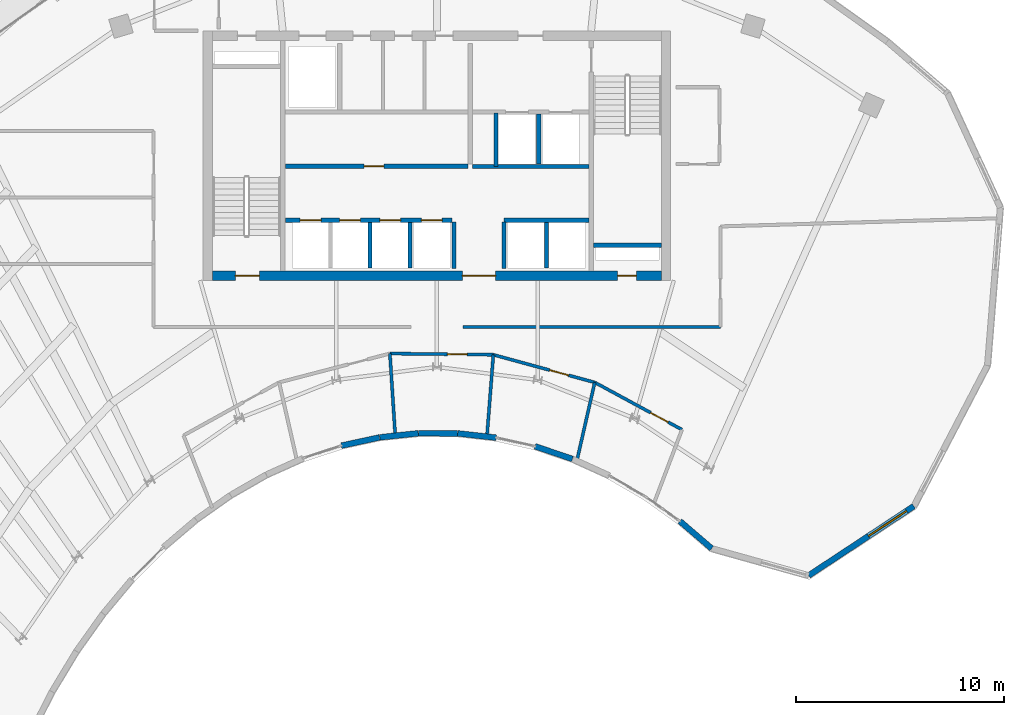
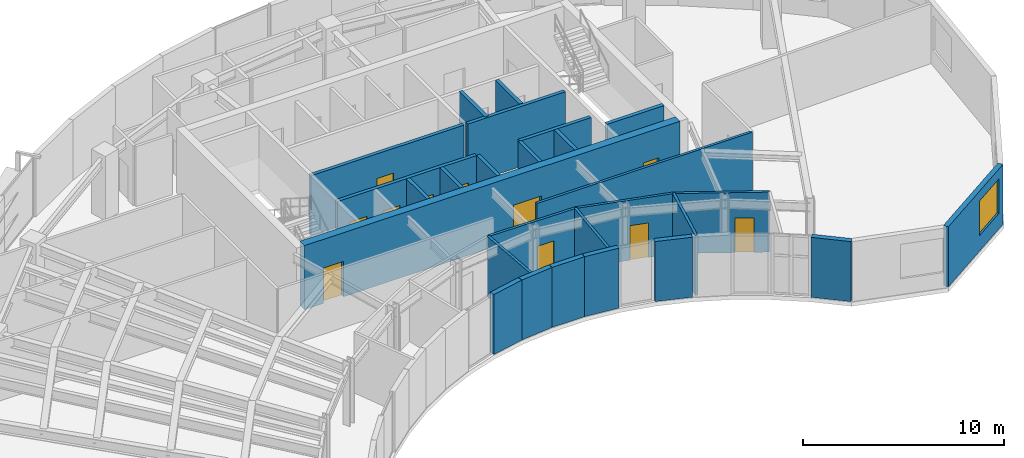
# One storey, part 8 of 12: 27 walls, 11 doors, 1 window, 12 openings.
"""IFC4 building model written with IfcOpenShell, lengths in metres."""

from ifc_helpers import new_model, si_unit, direction, frame, frame_2d, origin, place, context, subcontext, project, spatial, rectangle, extrude, source, transform, mapped, material, layer, layer_set, type_object, type_shapes, element, fill, save


model = new_model("IFC4")

# Units and contexts
model_context = context("Model", 3, precision=1e-05, world=origin(), true_north=direction((0.0, 1.0)))
body_context = subcontext(model_context, "Body", "Model", "MODEL_VIEW")
ifc_project = project(units=[si_unit("LENGTHUNIT", "METRE"), si_unit("AREAUNIT", "SQUARE_METRE"), si_unit("VOLUMEUNIT", "CUBIC_METRE"), si_unit("PLANEANGLEUNIT", "RADIAN"), si_unit("MASSUNIT", "GRAM", prefix="KILO")], contexts=[model_context])

# Site, building, storey
site_placement = place(None, origin())
site = spatial("IfcSite", under=ifc_project, at=site_placement, CompositionType="ELEMENT")
building_placement = place(site_placement, origin())
building = spatial("IfcBuilding", under=site, at=building_placement, Name="Breltana Convention Tower", CompositionType="ELEMENT")
storey_placement = place(building_placement, frame((0.0, 0.0, 239.10009765625)))
storey = spatial("IfcBuildingStorey", under=building, at=storey_placement, Name="L58", CompositionType="ELEMENT", Elevation=239.10009765625)

# Wall
ifc_material_1 = material(Name="Concrete C50/60", Category="concrete")
ifc_layer_1 = layer(ifc_material_1, 0.39990234375, Name="Concrete C50/60")
ifc_layer_set_1 = layer_set([ifc_layer_1], Name="Concrete C50/60")
wall_type_1 = type_object("IfcWallType", Name="SW-CORE-400", PredefinedType="SHEAR", material=ifc_layer_set_1)
shared_shape_1 = source(origin(), body_context, "Body", "SweptSolid", [
    extrude(rectangle(XDim=3.27001953125, YDim=0.219970703125, at=frame_2d((1.635009765625, 0.0))), origin(), (0.0, 0.0, 1.0), 3.89990234375),
])
wall_1_placement = place(storey_placement, frame((55.530029296875, 61.889892578125, 0.0), z_axis=(0.0, 0.0, 1.0), x_axis=(1.0, 0.0, 0.0)))
element("IfcWall", 1, at=wall_1_placement, inside=storey, type_object=wall_type_1, Name="L58 ST-2 Stairwell South Bearing Wall", PredefinedType="SHEAR", context=body_context, shape_type="MappedRepresentation", body=[
    mapped(shared_shape_1, transform((0.0, 0.0, 0.0), scale=1.0)),
])

# Wall, openings, doors
ifc_material_2 = material(Name="Concrete C60/75", Category="concrete")
ifc_layer_2 = layer(ifc_material_2, 0.449951171875, Name="Concrete C60/75")
ifc_layer_set_2 = layer_set([ifc_layer_2], Name="Concrete C60/75")
wall_type_2 = type_object("IfcWallType", Name="SW-CORE-450", PredefinedType="SHEAR", material=ifc_layer_set_2)
shared_shape_2 = source(origin(), body_context, "Body", "SweptSolid", [
    extrude(rectangle(XDim=21.60009765625, YDim=0.449951171875, at=frame_2d((10.800048828125, 0.0))), origin(), (0.0, 0.0, 1.0), 3.89990234375),
])
wall_2_placement = place(storey_placement, frame((37.199951171875, 60.425048828125, 0.0), z_axis=(0.0, 0.0, 1.0), x_axis=(1.0, 0.0, 0.0)))
wall_2 = element("IfcWall", 2, at=wall_2_placement, inside=storey, type_object=wall_type_2, Name="L58 South Core Shear Wall", PredefinedType="SHEAR", context=body_context, shape_type="MappedRepresentation", body=[
    mapped(shared_shape_2, transform((0.0, 0.0, 0.0), scale=1.0)),
])
opening_1_placement = place(wall_2_placement, frame((1.10009765625, 0.0, 0.0)))
opening_1 = element("IfcOpeningElement", 3, at=opening_1_placement, cuts=wall_2, Name="Opening D-11", PredefinedType="OPENING", context=body_context, shape_type="SweptSolid", body=[
    extrude(rectangle(XDim=1.14990234375, YDim=2.14990234375, at=frame_2d((0.574951171875, 1.074951171875))), frame((0.0, 0.23486328125, 0.0), z_axis=(0.0, -1.0, 0.0), x_axis=(1.0, 0.0, 0.0)), (0.0, 0.0, 1.0), 0.469970703125),
])
opening_2_placement = place(wall_2_placement, frame((19.5, 0.0, 0.0)))
opening_2 = element("IfcOpeningElement", 4, at=opening_2_placement, cuts=wall_2, Name="Opening D-18", PredefinedType="OPENING", context=body_context, shape_type="SweptSolid", body=[
    extrude(rectangle(XDim=0.89990234375, YDim=2.10009765625, at=frame_2d((0.449951171875, 1.050048828125))), frame((0.0, 0.23486328125, 0.0), z_axis=(0.0, -1.0, 0.0), x_axis=(1.0, 0.0, 0.0)), (0.0, 0.0, 1.0), 0.469970703125),
])
opening_3_placement = place(wall_2_placement, frame((12.02001953125, 0.0, 0.0)))
opening_3 = element("IfcOpeningElement", 5, at=opening_3_placement, cuts=wall_2, Name="Opening D-02", PredefinedType="OPENING", context=body_context, shape_type="SweptSolid", body=[
    extrude(rectangle(XDim=1.60009765625, YDim=2.14990234375, at=frame_2d((0.800048828125, 1.074951171875))), frame((0.0, 0.23486328125, 0.0), z_axis=(0.0, -1.0, 0.0), x_axis=(1.0, 0.0, 0.0)), (0.0, 0.0, 1.0), 0.469970703125),
])
ifc_material_3 = material(Name="Steel Stair Exit Door", Category="steel")
door_type_1 = type_object("IfcDoorType", Name="DR-FD120-1150", OperationType="NOTDEFINED", PredefinedType="DOOR", material=ifc_material_3)
shared_shape_3 = source(origin(), body_context, "Body", "SweptSolid", [
    extrude(rectangle(XDim=1.14990234375, YDim=2.14990234375, at=frame_2d((0.574951171875, 1.074951171875))), frame((0.0, 0.02490234375, 0.0), z_axis=(0.0, -1.0, 0.0), x_axis=(1.0, 0.0, 0.0)), (0.0, 0.0, 1.0), 0.050048828125),
])
type_shapes(door_type_1, [shared_shape_3])
door_1_placement = place(opening_1_placement, origin())
door_1 = element("IfcDoor", 6, at=door_1_placement, inside=storey, type_object=door_type_1, Name="L58 interior door D-L58-ST1", OperationType="SINGLE_SWING_LEFT", OverallHeight=2.14990234375, OverallWidth=1.14990234375, PredefinedType="DOOR", context=body_context, shape_type="MappedRepresentation", body=[
    mapped(shared_shape_3, transform((0.0, 0.0, 0.0), scale=1.0)),
])
fill(opening_1, door_1)
ifc_material_4 = material(Name="Steel Riser Fire Door", Category="steel")
door_type_2 = type_object("IfcDoorType", Name="DR-FD60-900", OperationType="NOTDEFINED", PredefinedType="DOOR", material=ifc_material_4)
shared_shape_4 = source(origin(), body_context, "Body", "SweptSolid", [
    extrude(rectangle(XDim=0.89990234375, YDim=2.10009765625, at=frame_2d((0.449951171875, 1.050048828125))), frame((0.0, 0.02490234375, 0.0), z_axis=(0.0, -1.0, 0.0), x_axis=(1.0, 0.0, 0.0)), (0.0, 0.0, 1.0), 0.050048828125),
])
type_shapes(door_type_2, [shared_shape_4])
door_2_placement = place(opening_2_placement, origin())
door_2 = element("IfcDoor", 7, at=door_2_placement, inside=storey, type_object=door_type_2, Name="L58 Core Riser Access Door D-L58-RS2", OperationType="SINGLE_SWING_RIGHT", OverallHeight=2.10009765625, OverallWidth=0.89990234375, PredefinedType="DOOR", context=body_context, shape_type="MappedRepresentation", body=[
    mapped(shared_shape_4, transform((0.0, 0.0, 0.0), scale=1.0)),
])
fill(opening_2, door_2)
ifc_material_5 = material(Name="Steel Glazed Smoke-Control Door", Category="steel")
door_type_3 = type_object("IfcDoorType", Name="DR-DBL-FD90-1600", OperationType="DOUBLE_DOOR_SINGLE_SWING", PredefinedType="DOOR", material=ifc_material_5)
shared_shape_5 = source(origin(), body_context, "Body", "SweptSolid", [
    extrude(rectangle(XDim=1.60009765625, YDim=2.14990234375, at=frame_2d((0.800048828125, 1.074951171875))), frame((0.0, 0.02490234375, 0.0), z_axis=(0.0, -1.0, 0.0), x_axis=(1.0, 0.0, 0.0)), (0.0, 0.0, 1.0), 0.050048828125),
])
type_shapes(door_type_3, [shared_shape_5])
door_3_placement = place(opening_3_placement, origin())
door_3 = element("IfcDoor", 8, at=door_3_placement, inside=storey, type_object=door_type_3, Name="L58 interior door D-L58-LLB-S", OperationType="DOUBLE_DOOR_SINGLE_SWING", OverallHeight=2.14990234375, OverallWidth=1.60009765625, PredefinedType="DOOR", context=body_context, shape_type="MappedRepresentation", body=[
    mapped(shared_shape_5, transform((0.0, 0.0, 0.0), scale=1.0)),
])
fill(opening_3, door_3)

# Wall, opening, window
ifc_material_6 = material(Name="Limestone Buff Insulated Wall", Category="masonry")
ifc_layer_3 = layer(ifc_material_6, 0.280029296875, Name="Limestone Buff Insulated Wall")
ifc_layer_set_3 = layer_set([ifc_layer_3], Name="Limestone Buff Insulated Wall")
wall_type_3 = type_object("IfcWallType", Name="WL-EXT-NOSE-280", PredefinedType="SOLIDWALL", material=ifc_layer_set_3)
shared_shape_6 = source(origin(), body_context, "Body", "SweptSolid", [
    extrude(rectangle(XDim=6.065185546875, YDim=0.280029296875, at=frame_2d((3.03271484375, 0.0))), origin(), (0.0, 0.0, 1.0), 3.64990234375),
])
wall_3_placement = place(storey_placement, frame((70.9541015625, 49.3349609375, 0.0), z_axis=(0.0, 0.0, 1.0), x_axis=(-0.834857303202, -0.550466423399, 0.0)))
wall_3 = element("IfcWall", 9, at=wall_3_placement, inside=storey, type_object=wall_type_3, Name="L58 curved limestone nose wall E4", PredefinedType="SOLIDWALL", context=body_context, shape_type="MappedRepresentation", body=[
    mapped(shared_shape_6, transform((0.0, 0.0, 0.0), scale=1.0)),
])
opening_4_placement = place(wall_3_placement, frame((0.416259765625, 0.0, 0.949951171875)))
opening_4 = element("IfcOpeningElement", 10, at=opening_4_placement, cuts=wall_3, Name="Opening W-03", PredefinedType="OPENING", context=body_context, shape_type="SweptSolid", body=[
    extrude(rectangle(XDim=2.199951171875, YDim=2.10009765625, at=frame_2d((1.10009765625, 1.050048828125))), frame((0.0, 0.14990234375, 0.0), z_axis=(0.0, -1.0, 0.0), x_axis=(1.0, 0.0, 0.0)), (0.0, 0.0, 1.0), 0.300048828125),
])
ifc_material_7 = material(Name="Glass Low-E Insulated Window", Category="glass")
window_type = type_object("IfcWindowType", Name="WN-NOSE-2200X2100", PartitioningType="TRIPLE_PANEL_VERTICAL", PredefinedType="WINDOW", material=ifc_material_7)
shared_shape_7 = source(origin(), body_context, "Body", "SweptSolid", [
    extrude(rectangle(XDim=2.199951171875, YDim=2.10009765625, at=frame_2d((1.10009765625, 1.050048828125))), frame((0.0, 0.030029296875, 0.0), z_axis=(0.0, -1.0, 0.0), x_axis=(1.0, 0.0, 0.0)), (0.0, 0.0, 1.0), 0.06005859375),
])
type_shapes(window_type, [shared_shape_7])
window_placement = place(opening_4_placement, origin())
window = element("IfcWindow", 11, at=window_placement, inside=storey, type_object=window_type, Name="L58 nose window E4", OverallHeight=2.10009765625, OverallWidth=2.199951171875, PartitioningType="TRIPLE_PANEL_VERTICAL", PredefinedType="WINDOW", context=body_context, shape_type="MappedRepresentation", body=[
    mapped(shared_shape_7, transform((0.0, 0.0, 0.0), scale=1.0)),
])
fill(opening_4, window)

# Walls
shared_shape_8 = source(origin(), body_context, "Body", "SweptSolid", [
    extrude(rectangle(XDim=2.022216796875, YDim=0.280029296875, at=frame_2d((1.01123046875, 0.0))), origin(), (0.0, 0.0, 1.0), 3.64990234375),
])
wall_4_placement = place(storey_placement, frame((61.2216796875, 47.299072265625, 0.0), z_axis=(0.0, 0.0, 1.0), x_axis=(-0.758343943716, 0.651854633358, 0.0)))
element("IfcWall", 12, at=wall_4_placement, inside=storey, type_object=wall_type_3, Name="L58 curved limestone nose wall E6", PredefinedType="SOLIDWALL", context=body_context, shape_type="MappedRepresentation", body=[
    mapped(shared_shape_8, transform((0.0, 0.0, 0.0), scale=1.0)),
])
shared_shape_9 = source(origin(), body_context, "Body", "SweptSolid", [
    extrude(rectangle(XDim=1.901123046875, YDim=0.280029296875, at=frame_2d((0.95068359375, 0.0))), origin(), (0.0, 0.0, 1.0), 3.64990234375),
])
wall_5_placement = place(storey_placement, frame((54.52294921875, 51.608154296875, 0.0), z_axis=(0.0, 0.0, 1.0), x_axis=(-0.94793587841, 0.318461254194, 0.0)))
element("IfcWall", 13, at=wall_5_placement, inside=storey, type_object=wall_type_3, Name="L58 curved limestone nose wall E8", PredefinedType="SOLIDWALL", context=body_context, shape_type="MappedRepresentation", body=[
    mapped(shared_shape_9, transform((0.0, 0.0, 0.0), scale=1.0)),
])
shared_shape_10 = source(origin(), body_context, "Body", "SweptSolid", [
    extrude(rectangle(XDim=1.858154296875, YDim=0.280029296875, at=frame_2d((0.92919921875, 0.0))), origin(), (0.0, 0.0, 1.0), 3.64990234375),
])
wall_6_placement = place(storey_placement, frame((48.9794921875, 52.837890625, 0.0), z_axis=(0.0, 0.0, 1.0), x_axis=(-0.999995433965, 0.003021928128, 0.0)))
element("IfcWall", 14, at=wall_6_placement, inside=storey, type_object=wall_type_3, Name="L58 curved limestone nose wall E10", PredefinedType="SOLIDWALL", context=body_context, shape_type="MappedRepresentation", body=[
    mapped(shared_shape_10, transform((0.0, 0.0, 0.0), scale=1.0)),
])
shared_shape_11 = source(origin(), body_context, "Body", "SweptSolid", [
    extrude(rectangle(XDim=1.8623046875, YDim=0.280029296875, at=frame_2d((0.93115234375, 0.0))), origin(), (0.0, 0.0, 1.0), 3.64990234375),
])
wall_7_placement = place(storey_placement, frame((47.101806640625, 52.84228515625, 0.0), z_axis=(0.0, 0.0, 1.0), x_axis=(-0.994430497743, -0.1053944266, 0.0)))
element("IfcWall", 15, at=wall_7_placement, inside=storey, type_object=wall_type_3, Name="L58 curved limestone nose wall E11", PredefinedType="SOLIDWALL", context=body_context, shape_type="MappedRepresentation", body=[
    mapped(shared_shape_11, transform((0.0, 0.0, 0.0), scale=1.0)),
])
shared_shape_12 = source(origin(), body_context, "Body", "SweptSolid", [
    extrude(rectangle(XDim=1.876708984375, YDim=0.280029296875, at=frame_2d((0.9384765625, 0.0))), origin(), (0.0, 0.0, 1.0), 3.64990234375),
])
wall_8_placement = place(storey_placement, frame((45.230712890625, 52.642822265625, 0.0), z_axis=(0.0, 0.0, 1.0), x_axis=(-0.97737202312, -0.211527606761, 0.0)))
element("IfcWall", 16, at=wall_8_placement, inside=storey, type_object=wall_type_3, Name="L58 curved limestone nose wall E12", PredefinedType="SOLIDWALL", context=body_context, shape_type="MappedRepresentation", body=[
    mapped(shared_shape_12, transform((0.0, 0.0, 0.0), scale=1.0)),
])
shared_shape_13 = source(origin(), body_context, "Body", "SweptSolid", [
    extrude(rectangle(XDim=1.86328125, YDim=0.280029296875, at=frame_2d((0.931640625, 0.0))), origin(), (0.0, 0.0, 1.0), 3.64990234375),
])
wall_9_placement = place(storey_placement, frame((50.8505859375, 52.629638671875, 0.0), z_axis=(0.0, 0.0, 1.0), x_axis=(-0.9937939307, 0.111236789343, 0.0)))
element("IfcWall", 17, at=wall_9_placement, inside=storey, type_object=wall_type_3, Name="L58 curved limestone nose wall E9", PredefinedType="SOLIDWALL", context=body_context, shape_type="MappedRepresentation", body=[
    mapped(shared_shape_13, transform((0.0, 0.0, 0.0), scale=1.0)),
])
ifc_material_8 = material(Name="Autoclaved Aerated Concrete Block", Category="concrete")
ifc_layer_4 = layer(ifc_material_8, 0.199951171875, Name="Autoclaved Aerated Concrete Block")
ifc_layer_set_4 = layer_set([ifc_layer_4], Name="Autoclaved Aerated Concrete Block")
wall_type_4 = type_object("IfcWallType", Name="WL-SHAFT-200", PredefinedType="SOLIDWALL", material=ifc_layer_set_4)
shared_shape_14 = source(origin(), body_context, "Body", "SweptSolid", [
    extrude(rectangle(XDim=2.239990234375, YDim=0.199951171875, at=frame_2d((1.1201171875, 0.0))), origin(), (0.0, 0.0, 1.0), 3.64990234375),
])
for number, where, z_axis, x_axis, name in (
    (18, (48.820068359375, 60.780029296875, 0.0), (0.0, 0.0, 1.0), (0.0, 1.0, 0.0), "L58 interior partition W-L58-PORT-W"),
    (19, (51.219970703125, 60.780029296875, 0.0), (0.0, 0.0, 1.0), (0.0, 1.0, 0.0), "L58 interior partition W-L58-PORT-E"),
):
    element("IfcWall", number, at=place(storey_placement, frame(where, z_axis=z_axis, x_axis=x_axis)), inside=storey, type_object=wall_type_4, Name=name, PredefinedType="SOLIDWALL", context=body_context, shape_type="MappedRepresentation", body=[
        mapped(shared_shape_14, transform((0.0, 0.0, 0.0), scale=1.0)),
    ])
shared_shape_15 = source(origin(), body_context, "Body", "SweptSolid", [
    extrude(rectangle(XDim=5.6201171875, YDim=0.199951171875, at=frame_2d((2.81005859375, 0.0))), origin(), (0.0, 0.0, 1.0), 3.64990234375),
])
wall_10_placement = place(storey_placement, frame((49.699951171875, 65.679931640625, 0.0), z_axis=(0.0, 0.0, 1.0), x_axis=(1.0, 0.0, 0.0)))
element("IfcWall", 20, at=wall_10_placement, inside=storey, type_object=wall_type_4, Name="L58 interior partition W-L58-FL-S", PredefinedType="SOLIDWALL", context=body_context, shape_type="MappedRepresentation", body=[
    mapped(shared_shape_15, transform((0.0, 0.0, 0.0), scale=1.0)),
])
shared_shape_16 = source(origin(), body_context, "Body", "SweptSolid", [
    extrude(rectangle(XDim=2.580078125, YDim=0.199951171875, at=frame_2d((1.2900390625, 0.0))), origin(), (0.0, 0.0, 1.0), 3.64990234375),
])
wall_11_placement = place(storey_placement, frame((50.85009765625, 65.679931640625, 0.0), z_axis=(0.0, 0.0, 1.0), x_axis=(0.0, 1.0, 0.0)))
element("IfcWall", 21, at=wall_11_placement, inside=storey, type_object=wall_type_4, Name="L58 interior partition W-L58-FL-W", PredefinedType="SOLIDWALL", context=body_context, shape_type="MappedRepresentation", body=[
    mapped(shared_shape_16, transform((0.0, 0.0, 0.0), scale=1.0)),
])
shared_shape_17 = source(origin(), body_context, "Body", "SweptSolid", [
    extrude(rectangle(XDim=2.39990234375, YDim=0.199951171875, at=frame_2d((1.199951171875, 0.0))), origin(), (0.0, 0.0, 1.0), 3.64990234375),
])
wall_12_placement = place(storey_placement, frame((52.89990234375, 65.800048828125, 0.0), z_axis=(0.0, 0.0, 1.0), x_axis=(0.0, 1.0, 0.0)))
element("IfcWall", 22, at=wall_12_placement, inside=storey, type_object=wall_type_4, Name="L58 interior partition W-L58-FL-DIV", PredefinedType="SOLIDWALL", context=body_context, shape_type="MappedRepresentation", body=[
    mapped(shared_shape_17, transform((0.0, 0.0, 0.0), scale=1.0)),
])

# Wall, opening, door
shared_shape_18 = source(origin(), body_context, "Body", "SweptSolid", [
    extrude(rectangle(XDim=8.800048828125, YDim=0.199951171875, at=frame_2d((4.39990234375, 0.0))), origin(), (0.0, 0.0, 1.0), 3.64990234375),
])
wall_13_placement = place(storey_placement, frame((40.699951171875, 65.699951171875, 0.0), z_axis=(0.0, 0.0, 1.0), x_axis=(1.0, 0.0, 0.0)))
wall_13 = element("IfcWall", 23, at=wall_13_placement, inside=storey, type_object=wall_type_4, Name="L58 interior partition W-L58-SH-M-FRONT", PredefinedType="SOLIDWALL", context=body_context, shape_type="MappedRepresentation", body=[
    mapped(shared_shape_18, transform((0.0, 0.0, 0.0), scale=1.0)),
])
opening_5_placement = place(wall_13_placement, frame((3.800048828125, 0.0, 0.0)))
opening_5 = element("IfcOpeningElement", 24, at=opening_5_placement, cuts=wall_13, Name="Opening D-14", PredefinedType="OPENING", context=body_context, shape_type="SweptSolid", body=[
    extrude(rectangle(XDim=0.949951171875, YDim=2.14990234375, at=frame_2d((0.47509765625, 1.074951171875))), frame((0.0, 0.10986328125, 0.0), z_axis=(0.0, -1.0, 0.0), x_axis=(1.0, 0.0, 0.0)), (0.0, 0.0, 1.0), 0.219970703125),
])
ifc_material_9 = material(Name="Timber Solid-Core Fire Door", Category="wood")
door_type_4 = type_object("IfcDoorType", Name="DR-FD60-950", OperationType="NOTDEFINED", PredefinedType="DOOR", material=ifc_material_9)
shared_shape_19 = source(origin(), body_context, "Body", "SweptSolid", [
    extrude(rectangle(XDim=0.949951171875, YDim=2.14990234375, at=frame_2d((0.47509765625, 1.074951171875))), frame((0.0, 0.02490234375, 0.0), z_axis=(0.0, -1.0, 0.0), x_axis=(1.0, 0.0, 0.0)), (0.0, 0.0, 1.0), 0.050048828125),
])
type_shapes(door_type_4, [shared_shape_19])
door_4_placement = place(opening_5_placement, origin())
door_4 = element("IfcDoor", 25, at=door_4_placement, inside=storey, type_object=door_type_4, Name="L58 interior door D-L58-LV7-B2A", OperationType="SINGLE_SWING_LEFT", OverallHeight=2.14990234375, OverallWidth=0.949951171875, PredefinedType="DOOR", context=body_context, shape_type="MappedRepresentation", body=[
    mapped(shared_shape_19, transform((0.0, 0.0, 0.0), scale=1.0)),
])
fill(opening_5, door_4)

# Wall, openings, doors
shared_shape_20 = source(origin(), body_context, "Body", "SweptSolid", [
    extrude(rectangle(XDim=8.02001953125, YDim=0.199951171875, at=frame_2d((4.010009765625, 0.0))), origin(), (0.0, 0.0, 1.0), 3.64990234375),
])
wall_14_placement = place(storey_placement, frame((40.699951171875, 63.10009765625, 0.0), z_axis=(0.0, 0.0, 1.0), x_axis=(1.0, 0.0, 0.0)))
wall_14 = element("IfcWall", 26, at=wall_14_placement, inside=storey, type_object=wall_type_4, Name="L58 interior partition W-L58-SH-S-FRONT", PredefinedType="SOLIDWALL", context=body_context, shape_type="MappedRepresentation", body=[
    mapped(shared_shape_20, transform((0.0, 0.0, 0.0), scale=1.0)),
])
opening_6_placement = place(wall_14_placement, frame((0.719970703125, 0.0, 0.0)))
opening_6 = element("IfcOpeningElement", 27, at=opening_6_placement, cuts=wall_14, Name="Opening LD-04", PredefinedType="OPENING", context=body_context, shape_type="SweptSolid", body=[
    extrude(rectangle(XDim=1.0, YDim=2.14990234375, at=frame_2d((0.5, 1.074951171875))), frame((0.0, 0.10986328125, 0.0), z_axis=(0.0, -1.0, 0.0), x_axis=(1.0, 0.0, 0.0)), (0.0, 0.0, 1.0), 0.219970703125),
])
opening_7_placement = place(wall_14_placement, frame((2.6201171875, 0.0, 0.0)))
opening_7 = element("IfcOpeningElement", 28, at=opening_7_placement, cuts=wall_14, Name="Opening LD-04", PredefinedType="OPENING", context=body_context, shape_type="SweptSolid", body=[
    extrude(rectangle(XDim=1.0, YDim=2.14990234375, at=frame_2d((0.5, 1.074951171875))), frame((0.0, 0.10986328125, 0.0), z_axis=(0.0, -1.0, 0.0), x_axis=(1.0, 0.0, 0.0)), (0.0, 0.0, 1.0), 0.219970703125),
])
opening_8_placement = place(wall_14_placement, frame((4.550048828125, 0.0, 0.0)))
opening_8 = element("IfcOpeningElement", 29, at=opening_8_placement, cuts=wall_14, Name="Opening LD-04", PredefinedType="OPENING", context=body_context, shape_type="SweptSolid", body=[
    extrude(rectangle(XDim=1.0, YDim=2.14990234375, at=frame_2d((0.5, 1.074951171875))), frame((0.0, 0.10986328125, 0.0), z_axis=(0.0, -1.0, 0.0), x_axis=(1.0, 0.0, 0.0)), (0.0, 0.0, 1.0), 0.219970703125),
])
opening_9_placement = place(wall_14_placement, frame((6.550048828125, 0.0, 0.0)))
opening_9 = element("IfcOpeningElement", 30, at=opening_9_placement, cuts=wall_14, Name="Opening LD-04", PredefinedType="OPENING", context=body_context, shape_type="SweptSolid", body=[
    extrude(rectangle(XDim=1.0, YDim=2.14990234375, at=frame_2d((0.5, 1.074951171875))), frame((0.0, 0.10986328125, 0.0), z_axis=(0.0, -1.0, 0.0), x_axis=(1.0, 0.0, 0.0)), (0.0, 0.0, 1.0), 0.219970703125),
])
ifc_material_10 = material(Name="Stainless Steel Brushed", Category="steel")
door_type_5 = type_object("IfcDoorType", Name="DR-LD-PAX-1000", OperationType="DOUBLE_DOOR_SLIDING", PredefinedType="DOOR", material=ifc_material_10)
shared_shape_21 = source(origin(), body_context, "Body", "SweptSolid", [
    extrude(rectangle(XDim=1.0, YDim=2.14990234375, at=frame_2d((0.5, 1.074951171875))), frame((0.0, 0.02490234375, 0.0), z_axis=(0.0, -1.0, 0.0), x_axis=(1.0, 0.0, 0.0)), (0.0, 0.0, 1.0), 0.050048828125),
])
type_shapes(door_type_5, [shared_shape_21])
door_5_placement = place(opening_6_placement, origin())
door_5 = element("IfcDoor", 31, at=door_5_placement, inside=storey, type_object=door_type_5, Name="L58 Lift Landing Door D-L58-LD-S1", OperationType="DOUBLE_DOOR_SLIDING", OverallHeight=2.14990234375, OverallWidth=1.0, PredefinedType="DOOR", context=body_context, shape_type="MappedRepresentation", body=[
    mapped(shared_shape_21, transform((0.0, 0.0, 0.0), scale=1.0)),
])
fill(opening_6, door_5)
door_6_placement = place(opening_7_placement, origin())
door_6 = element("IfcDoor", 32, at=door_6_placement, inside=storey, type_object=door_type_5, Name="L58 Lift Landing Door D-L58-LD-S2", OperationType="DOUBLE_DOOR_SLIDING", OverallHeight=2.14990234375, OverallWidth=1.0, PredefinedType="DOOR", context=body_context, shape_type="MappedRepresentation", body=[
    mapped(shared_shape_21, transform((0.0, 0.0, 0.0), scale=1.0)),
])
fill(opening_7, door_6)
door_7_placement = place(opening_8_placement, origin())
door_7 = element("IfcDoor", 33, at=door_7_placement, inside=storey, type_object=door_type_5, Name="L58 Lift Landing Door D-L58-LD-S3", OperationType="DOUBLE_DOOR_SLIDING", OverallHeight=2.14990234375, OverallWidth=1.0, PredefinedType="DOOR", context=body_context, shape_type="MappedRepresentation", body=[
    mapped(shared_shape_21, transform((0.0, 0.0, 0.0), scale=1.0)),
])
fill(opening_8, door_7)
door_8_placement = place(opening_9_placement, origin())
door_8 = element("IfcDoor", 34, at=door_8_placement, inside=storey, type_object=door_type_5, Name="L58 Lift Landing Door D-L58-LD-S4", OperationType="DOUBLE_DOOR_SLIDING", OverallHeight=2.14990234375, OverallWidth=1.0, PredefinedType="DOOR", context=body_context, shape_type="MappedRepresentation", body=[
    mapped(shared_shape_21, transform((0.0, 0.0, 0.0), scale=1.0)),
])
fill(opening_9, door_8)

# Walls
shared_shape_22 = source(origin(), body_context, "Body", "SweptSolid", [
    extrude(rectangle(XDim=4.10009765625, YDim=0.199951171875, at=frame_2d((2.050048828125, 0.0))), origin(), (0.0, 0.0, 1.0), 3.64990234375),
])
wall_15_placement = place(storey_placement, frame((51.219970703125, 63.10009765625, 0.0), z_axis=(0.0, 0.0, 1.0), x_axis=(1.0, 0.0, 0.0)))
element("IfcWall", 35, at=wall_15_placement, inside=storey, type_object=wall_type_4, Name="L58 interior partition W-L58-SH-X-FRONT", PredefinedType="SOLIDWALL", context=body_context, shape_type="MappedRepresentation", body=[
    mapped(shared_shape_22, transform((0.0, 0.0, 0.0), scale=1.0)),
])
shared_shape_23 = source(origin(), body_context, "Body", "SweptSolid", [
    extrude(rectangle(XDim=2.199951171875, YDim=0.199951171875, at=frame_2d((1.10009765625, 0.0))), origin(), (0.0, 0.0, 1.0), 3.64990234375),
])
for number, where, z_axis, x_axis, name in (
    (36, (44.77001953125, 60.800048828125, 0.0), (0.0, 0.0, 1.0), (0.0, 1.0, 0.0), "L58 interior partition W-L58-SH-S-DIV2"),
    (37, (46.699951171875, 60.800048828125, 0.0), (0.0, 0.0, 1.0), (0.0, 1.0, 0.0), "L58 interior partition W-L58-SH-S-DIV3"),
    (38, (53.280029296875, 60.800048828125, 0.0), (0.0, 0.0, 1.0), (0.0, 1.0, 0.0), "L58 interior partition W-L58-SH-X-DIV"),
):
    element("IfcWall", number, at=place(storey_placement, frame(where, z_axis=z_axis, x_axis=x_axis)), inside=storey, type_object=wall_type_4, Name=name, PredefinedType="SOLIDWALL", context=body_context, shape_type="MappedRepresentation", body=[
        mapped(shared_shape_23, transform((0.0, 0.0, 0.0), scale=1.0)),
    ])
ifc_material_11 = material(Name="Gypsum Acoustic Drywall Partition")
ifc_layer_5 = layer(ifc_material_11, 0.14990234375, Name="Gypsum Acoustic Drywall Partition")
ifc_layer_set_5 = layer_set([ifc_layer_5], Name="Gypsum Acoustic Drywall Partition")
wall_type_5 = type_object("IfcWallType", Name="WL-PART-150", PredefinedType="PARTITIONING", material=ifc_layer_set_5)
shared_shape_24 = source(origin(), body_context, "Body", "SweptSolid", [
    extrude(rectangle(XDim=3.9541015625, YDim=0.14990234375, at=frame_2d((1.97705078125, 0.0))), origin(), (0.0, 0.0, 1.0), 3.64990234375),
])
wall_16_placement = place(storey_placement, frame((45.993408203125, 52.73486328125, 0.0), z_axis=(0.0, 0.0, 1.0), x_axis=(-0.065199424581, 0.997872253865, 0.0)))
element("IfcWall", 39, at=wall_16_placement, inside=storey, type_object=wall_type_5, Name="L58 interior partition W-L58-ES2-RB", PredefinedType="PARTITIONING", context=body_context, shape_type="MappedRepresentation", body=[
    mapped(shared_shape_24, transform((0.0, 0.0, 0.0), scale=1.0)),
])

# Wall, opening, door
shared_shape_25 = source(origin(), body_context, "Body", "SweptSolid", [
    extrude(rectangle(XDim=4.980224609375, YDim=0.14990234375, at=frame_2d((2.490234375, 0.0))), origin(), (0.0, 0.0, 1.0), 3.64990234375),
])
wall_17_placement = place(storey_placement, frame((45.735595703125, 56.6806640625, 0.0), z_axis=(0.0, 0.0, 1.0), x_axis=(0.999931938048, -0.011667016436, 0.0)))
wall_17 = element("IfcWall", 40, at=wall_17_placement, inside=storey, type_object=wall_type_5, Name="L58 interior partition W-L58-ES3-COR", PredefinedType="PARTITIONING", context=body_context, shape_type="MappedRepresentation", body=[
    mapped(shared_shape_25, transform((0.0, 0.0, 0.0), scale=1.0)),
])
opening_10_placement = place(wall_17_placement, frame((2.76513671875, 0.0, 0.0)))
opening_10 = element("IfcOpeningElement", 41, at=opening_10_placement, cuts=wall_17, Name="Opening D-17", PredefinedType="OPENING", context=body_context, shape_type="SweptSolid", body=[
    extrude(rectangle(XDim=0.949951171875, YDim=2.10009765625, at=frame_2d((0.47509765625, 1.050048828125))), frame((0.0, 0.0849609375, 0.0), z_axis=(0.0, -1.0, 0.0), x_axis=(1.0, 0.0, 0.0)), (0.0, 0.0, 1.0), 0.169921875),
])
ifc_material_12 = material(Name="Timber Oak Veneer Door", Category="wood")
door_type_6 = type_object("IfcDoorType", Name="DR-INT-950", OperationType="NOTDEFINED", PredefinedType="DOOR", material=ifc_material_12)
shared_shape_26 = source(origin(), body_context, "Body", "SweptSolid", [
    extrude(rectangle(XDim=0.949951171875, YDim=2.10009765625, at=frame_2d((0.47509765625, 1.050048828125))), frame((0.0, 0.02490234375, 0.0), z_axis=(0.0, -1.0, 0.0), x_axis=(1.0, 0.0, 0.0)), (0.0, 0.0, 1.0), 0.050048828125),
])
type_shapes(door_type_6, [shared_shape_26])
door_9_placement = place(opening_10_placement, origin())
door_9 = element("IfcDoor", 42, at=door_9_placement, inside=storey, type_object=door_type_6, Name="L58 interior door D-L58-ES3", OperationType="SINGLE_SWING_RIGHT", OverallHeight=2.10009765625, OverallWidth=0.949951171875, PredefinedType="DOOR", context=body_context, shape_type="MappedRepresentation", body=[
    mapped(shared_shape_26, transform((0.0, 0.0, 0.0), scale=1.0)),
])
fill(opening_10, door_9)

# Wall
shared_shape_27 = source(origin(), body_context, "Body", "SweptSolid", [
    extrude(rectangle(XDim=3.9453125, YDim=0.14990234375, at=frame_2d((1.97265625, 0.0))), origin(), (0.0, 0.0, 1.0), 3.64990234375),
])
wall_18_placement = place(storey_placement, frame((50.4072265625, 52.689208984375, 0.0), z_axis=(0.0, 0.0, 1.0), x_axis=(0.07815386217, 0.996941309119, 0.0)))
element("IfcWall", 43, at=wall_18_placement, inside=storey, type_object=wall_type_5, Name="L58 interior partition W-L58-ES3-RB", PredefinedType="PARTITIONING", context=body_context, shape_type="MappedRepresentation", body=[
    mapped(shared_shape_27, transform((0.0, 0.0, 0.0), scale=1.0)),
])

# Wall, opening, door
shared_shape_28 = source(origin(), body_context, "Body", "SweptSolid", [
    extrude(rectangle(XDim=5.058349609375, YDim=0.14990234375, at=frame_2d((2.529296875, 0.0))), origin(), (0.0, 0.0, 1.0), 3.64990234375),
])
wall_19_placement = place(storey_placement, frame((50.715576171875, 56.62255859375, 0.0), z_axis=(0.0, 0.0, 1.0), x_axis=(0.964782753739, -0.263047976781, 0.0)))
wall_19 = element("IfcWall", 44, at=wall_19_placement, inside=storey, type_object=wall_type_5, Name="L58 interior partition W-L58-ES4-COR", PredefinedType="PARTITIONING", context=body_context, shape_type="MappedRepresentation", body=[
    mapped(shared_shape_28, transform((0.0, 0.0, 0.0), scale=1.0)),
])
opening_11_placement = place(wall_19_placement, frame((2.80419921875, 0.0, 0.0)))
opening_11 = element("IfcOpeningElement", 45, at=opening_11_placement, cuts=wall_19, Name="Opening D-17", PredefinedType="OPENING", context=body_context, shape_type="SweptSolid", body=[
    extrude(rectangle(XDim=0.949951171875, YDim=2.10009765625, at=frame_2d((0.47509765625, 1.050048828125))), frame((0.0, 0.0849609375, 0.0), z_axis=(0.0, -1.0, 0.0), x_axis=(1.0, 0.0, 0.0)), (0.0, 0.0, 1.0), 0.169921875),
])
door_10_placement = place(opening_11_placement, origin())
door_10 = element("IfcDoor", 46, at=door_10_placement, inside=storey, type_object=door_type_6, Name="L58 interior door D-L58-ES4", OperationType="SINGLE_SWING_LEFT", OverallHeight=2.10009765625, OverallWidth=0.949951171875, PredefinedType="DOOR", context=body_context, shape_type="MappedRepresentation", body=[
    mapped(shared_shape_26, transform((0.0, 0.0, 0.0), scale=1.0)),
])
fill(opening_11, door_10)

# Wall
shared_shape_29 = source(origin(), body_context, "Body", "SweptSolid", [
    extrude(rectangle(XDim=3.865234375, YDim=0.14990234375, at=frame_2d((1.9326171875, 0.0))), origin(), (0.0, 0.0, 1.0), 3.64990234375),
])
wall_20_placement = place(storey_placement, frame((54.736083984375, 51.5234375, 0.0), z_axis=(0.0, 0.0, 1.0), x_axis=(0.222390882477, 0.974957586458, 0.0)))
element("IfcWall", 47, at=wall_20_placement, inside=storey, type_object=wall_type_5, Name="L58 interior partition W-L58-ES4-RB", PredefinedType="PARTITIONING", context=body_context, shape_type="MappedRepresentation", body=[
    mapped(shared_shape_29, transform((0.0, 0.0, 0.0), scale=1.0)),
])

# Wall, opening, door
shared_shape_30 = source(origin(), body_context, "Body", "SweptSolid", [
    extrude(rectangle(XDim=4.77490234375, YDim=0.14990234375, at=frame_2d((2.387451171875, 0.0))), origin(), (0.0, 0.0, 1.0), 3.64990234375),
])
wall_21_placement = place(storey_placement, frame((55.595703125, 55.2919921875, 0.0), z_axis=(0.0, 0.0, 1.0), x_axis=(0.879401686059, -0.476080533688, 0.0)))
wall_21 = element("IfcWall", 48, at=wall_21_placement, inside=storey, type_object=wall_type_5, Name="L58 interior partition W-L58-ES5-COR", PredefinedType="PARTITIONING", context=body_context, shape_type="MappedRepresentation", body=[
    mapped(shared_shape_30, transform((0.0, 0.0, 0.0), scale=1.0)),
])
opening_12_placement = place(wall_21_placement, frame((3.0625, 0.0, 0.0)))
opening_12 = element("IfcOpeningElement", 49, at=opening_12_placement, cuts=wall_21, Name="Opening D-17", PredefinedType="OPENING", context=body_context, shape_type="SweptSolid", body=[
    extrude(rectangle(XDim=0.949951171875, YDim=2.10009765625, at=frame_2d((0.47509765625, 1.050048828125))), frame((0.0, 0.0849609375, 0.0), z_axis=(0.0, -1.0, 0.0), x_axis=(1.0, 0.0, 0.0)), (0.0, 0.0, 1.0), 0.169921875),
])
door_11_placement = place(opening_12_placement, origin())
door_11 = element("IfcDoor", 50, at=door_11_placement, inside=storey, type_object=door_type_6, Name="L58 interior door D-L58-ES5", OperationType="SINGLE_SWING_RIGHT", OverallHeight=2.10009765625, OverallWidth=0.949951171875, PredefinedType="DOOR", context=body_context, shape_type="MappedRepresentation", body=[
    mapped(shared_shape_26, transform((0.0, 0.0, 0.0), scale=1.0)),
])
fill(opening_12, door_11)

# Wall
shared_shape_31 = source(origin(), body_context, "Body", "SweptSolid", [
    extrude(rectangle(XDim=12.389892578125, YDim=0.14990234375, at=frame_2d((6.19482421875, 0.0))), origin(), (0.0, 0.0, 1.0), 3.64990234375),
])
wall_22_placement = place(storey_placement, frame((49.25, 57.9599609375, 0.0), z_axis=(0.0, 0.0, 1.0), x_axis=(1.0, 0.0, 0.0)))
element("IfcWall", 51, at=wall_22_placement, inside=storey, type_object=wall_type_5, Name="L58 interior partition W-L58-Z45-CSE", PredefinedType="PARTITIONING", context=body_context, shape_type="MappedRepresentation", body=[
    mapped(shared_shape_31, transform((0.0, 0.0, 0.0), scale=1.0)),
])

save(model, "model.ifc")
